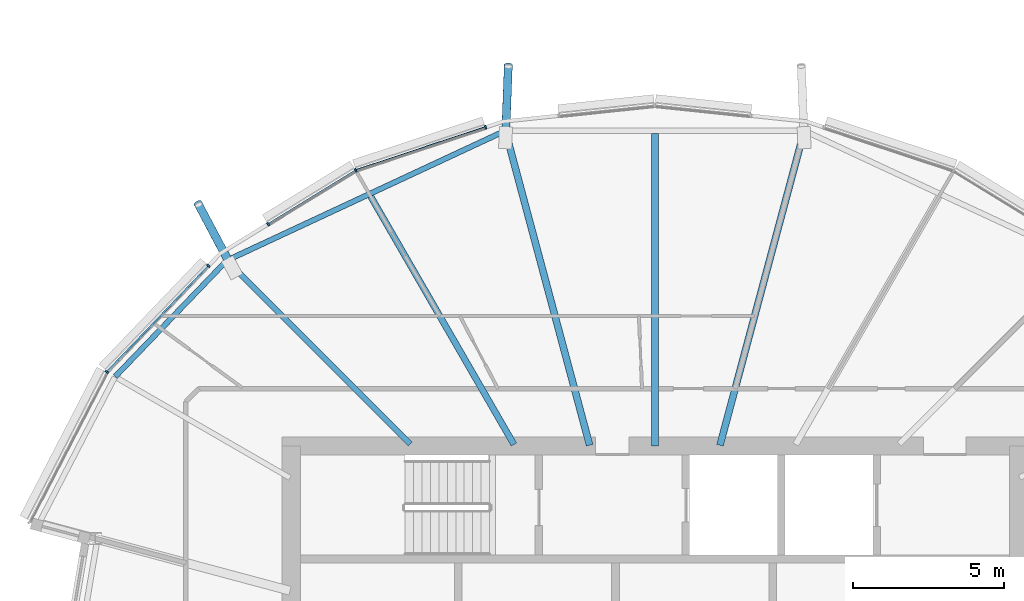
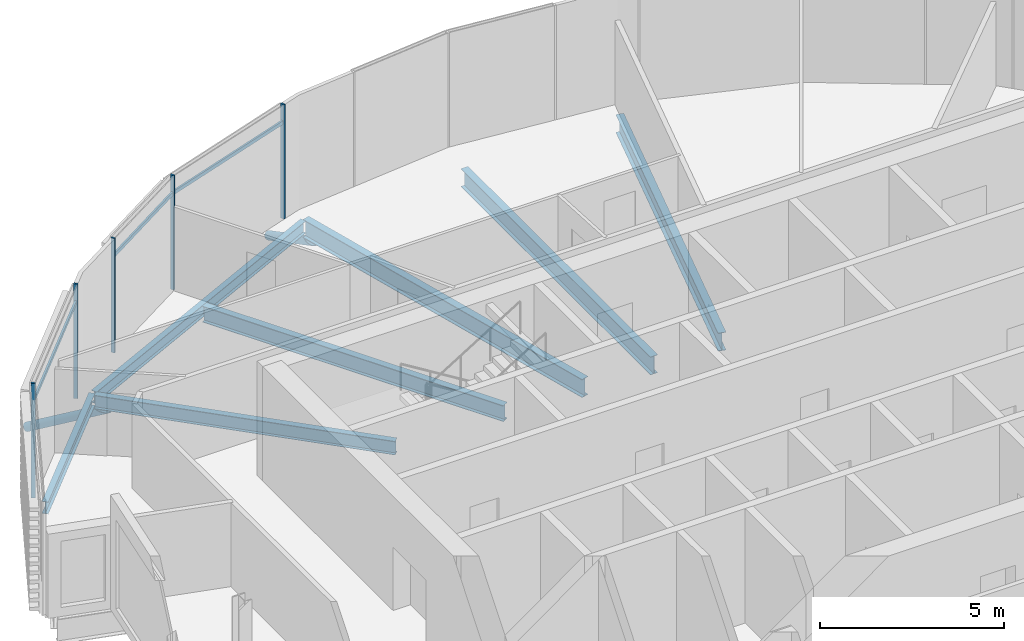
# One storey, part 9 of 35: 10 members, 7 beams, 1 element without a shape of its own.
"""IFC4 building model written with IfcOpenShell, lengths in metres."""

from ifc_helpers import new_model, si_unit, direction, frame, origin, origin_2d, place, context, subcontext, project, spatial, rectangle, hollow_circle, i_section, extrude, clip, halfspace, material, material_profile, profile_set, type_object, element, aggregate, save


model = new_model("IFC4")

# Units and contexts
model_context = context("Model", 3, precision=1e-05, world=origin(), true_north=direction((0.0, 1.0)))
body_context = subcontext(model_context, "Body", "Model", "MODEL_VIEW")
ifc_project = project(units=[si_unit("LENGTHUNIT", "METRE"), si_unit("AREAUNIT", "SQUARE_METRE"), si_unit("VOLUMEUNIT", "CUBIC_METRE"), si_unit("PLANEANGLEUNIT", "RADIAN"), si_unit("MASSUNIT", "GRAM", prefix="KILO")], contexts=[model_context])

# Site, building, storey
site_placement = place(None, origin())
site = spatial("IfcSite", under=ifc_project, at=site_placement, CompositionType="ELEMENT")
building_placement = place(site_placement, origin())
building = spatial("IfcBuilding", under=site, at=building_placement, Name="Rimbun Link Towers", CompositionType="ELEMENT")
storey_placement = place(building_placement, frame((0.0, 0.0, 196.89990234375)))
storey = spatial("IfcBuildingStorey", under=building, at=storey_placement, Name="L48", CompositionType="ELEMENT", Elevation=196.89990234375)

# Curtain wall, members
ifc_material_1 = material(Name="Aluminium 6063-T6 and low-iron glass", Category="aluminium")
curtain_wall_type = type_object("IfcCurtainWallType", Name="CW1-Z3 unitised vision wall (zone 3)", PredefinedType="NOTDEFINED", material=ifc_material_1)
curtain_wall_placement = place(storey_placement, origin())
curtain_wall = element("IfcCurtainWall", 1, at=curtain_wall_placement, inside=storey, type_object=curtain_wall_type, Name="CW1 L48 T1", PredefinedType="NOTDEFINED")
ifc_material_2 = material(Name="Aluminium 6063-T6", Category="aluminium")
ifc_material_profile_1 = material_profile(ifc_material_2, rectangle(XDim=0.1201171875, YDim=0.06005859375, at=origin_2d()), Name="MULLION 60X120")
ifc_profile_set_1 = profile_set([ifc_material_profile_1], Name="Aluminium 6063-T6")
member_type_1 = type_object("IfcMemberType", Name="CW1 mullion 60X120", PredefinedType="MULLION", material=ifc_profile_set_1)
member_1_placement = place(storey_placement, frame((-41.618896484375, 17.10400390625, 0.0), z_axis=(0.0, 0.0, 1.0), x_axis=(-0.421694621362, 0.906737914899, 0.0)))
member_1 = element("IfcMember", 2, at=member_1_placement, type_object=member_type_1, Name="CW1 mullion", PredefinedType="MULLION", context=body_context, shape_type="SweptSolid", body=[
    extrude(rectangle(XDim=0.1201171875, YDim=0.06005859375, at=origin_2d()), origin(), (0.0, 0.0, 1.0), 3.800048828125),
])
member_2_placement = place(storey_placement, frame((-37.337158203125, 18.5234375, 0.0), z_axis=(0.0, 0.0, 1.0), x_axis=(-0.314557993327, 0.949238257149, 0.0)))
member_2 = element("IfcMember", 3, at=member_2_placement, type_object=member_type_1, Name="CW1 mullion", PredefinedType="MULLION", context=body_context, shape_type="SweptSolid", body=[
    extrude(rectangle(XDim=0.1201171875, YDim=0.06005859375, at=origin_2d()), origin(), (0.0, 0.0, 1.0), 3.800048828125),
])
member_3_placement = place(storey_placement, frame((-44.51318359375, 15.327392578125, 0.0), z_axis=(0.0, 0.0, 1.0), x_axis=(-0.523229231966, 0.852191980023, 0.0)))
member_3 = element("IfcMember", 4, at=member_3_placement, type_object=member_type_1, Name="CW1 mullion", PredefinedType="MULLION", context=body_context, shape_type="SweptSolid", body=[
    extrude(rectangle(XDim=0.1201171875, YDim=0.06005859375, at=origin_2d()), origin(), (0.0, 0.0, 1.0), 3.800048828125),
])
member_4_placement = place(storey_placement, frame((-49.839111328125, 10.450439453125, 0.0), z_axis=(0.0, 0.0, 1.0), x_axis=(-0.813350615069, 0.581773819423, 0.0)))
member_4 = element("IfcMember", 5, at=member_4_placement, type_object=member_type_1, Name="CW1 mullion", PredefinedType="MULLION", context=body_context, shape_type="SweptSolid", body=[
    extrude(rectangle(XDim=0.1201171875, YDim=0.06005859375, at=origin_2d()), origin(), (0.0, 0.0, 1.0), 3.800048828125),
])
member_5_placement = place(storey_placement, frame((-46.482421875, 13.952880859375, 0.0), z_axis=(0.0, 0.0, 1.0), x_axis=(-0.721858505917, 0.692040676143, 0.0)))
member_5 = element("IfcMember", 6, at=member_5_placement, type_object=member_type_1, Name="CW1 mullion", PredefinedType="MULLION", context=body_context, shape_type="SweptSolid", body=[
    extrude(rectangle(XDim=0.1201171875, YDim=0.06005859375, at=origin_2d()), origin(), (0.0, 0.0, 1.0), 3.800048828125),
])
ifc_material_3 = material(Name="Aluminium 6063-T6", Category="aluminium")
ifc_material_profile_2 = material_profile(ifc_material_3, rectangle(XDim=0.06005859375, YDim=0.1201171875, at=origin_2d()), Name="TRANSOM 60X120")
ifc_profile_set_2 = profile_set([ifc_material_profile_2], Name="Aluminium 6063-T6")
member_type_2 = type_object("IfcMemberType", Name="CW1 transom 60X120", PredefinedType="USERDEFINED", material=ifc_profile_set_2)
member_6_placement = place(storey_placement, frame((-41.583251953125, 17.1142578125, 3.2001953125), z_axis=(0.949247657744, 0.314529623833, 0.0), x_axis=(-0.314529623833, 0.949247657744, 0.0)))
member_6 = element("IfcMember", 7, at=member_6_placement, type_object=member_type_2, Name="CW1 transom", ObjectType="TRANSOM", PredefinedType="USERDEFINED", context=body_context, shape_type="SweptSolid", body=[
    extrude(rectangle(XDim=0.06005859375, YDim=0.1201171875, at=origin_2d()), origin(), (0.0, 0.0, 1.0), 4.44384765625),
])
member_7_placement = place(storey_placement, frame((-44.486572265625, 15.341552734375, 3.2001953125), z_axis=(0.852194171963, 0.523225661901, 0.0), x_axis=(-0.523225661901, 0.852194171963, 0.0)))
member_7 = element("IfcMember", 8, at=member_7_placement, type_object=member_type_2, Name="CW1 transom", ObjectType="TRANSOM", PredefinedType="USERDEFINED", context=body_context, shape_type="SweptSolid", body=[
    extrude(rectangle(XDim=0.06005859375, YDim=0.1201171875, at=origin_2d()), origin(), (0.0, 0.0, 1.0), 3.329345703125),
])
member_8_placement = place(storey_placement, frame((-49.8115234375, 10.477294921875, 3.2001953125), z_axis=(0.692018439281, 0.721879823582, 0.0), x_axis=(-0.721879823582, 0.692018439281, 0.0)))
member_8 = element("IfcMember", 9, at=member_8_placement, type_object=member_type_2, Name="CW1 transom", ObjectType="TRANSOM", PredefinedType="USERDEFINED", context=body_context, shape_type="SweptSolid", body=[
    extrude(rectangle(XDim=0.06005859375, YDim=0.1201171875, at=origin_2d()), origin(), (0.0, 0.0, 1.0), 4.782958984375),
])
aggregate(curtain_wall, [member_1, member_2, member_3, member_4, member_5, member_6, member_7, member_8])

# Members
ifc_material_4 = material(Name="Steel S355J2H", Category="steel")
ifc_material_profile_3 = material_profile(ifc_material_4, hollow_circle(Radius=0.136474609375, WallThickness=0.012451171875, at=origin_2d()), Name="CHS 273x12.5")
ifc_profile_set_3 = profile_set([ifc_material_profile_3], Name="Steel S355J2H")
member_type_3 = type_object("IfcMemberType", Name="Floor edge link CHS 273x12.5", PredefinedType="BRACE", material=ifc_profile_set_3)
member_9_placement = place(storey_placement, frame((-36.670166015625, 18.3623046875, -0.871826171875), z_axis=(0.033818478174, 0.876864826951, -0.479546020513), x_axis=(-0.999257102902, 0.038538841434, 0.0)))
element("IfcMember", 10, at=member_9_placement, inside=storey, type_object=member_type_3, Name="Floor edge link T1 L48 07", PredefinedType="BRACE", context=body_context, shape_type="Clipping", body=[
    clip(extrude(hollow_circle(Radius=0.136474609375, WallThickness=0.012451171875, at=origin_2d()), frame((0.0, 0.0, -0.5205078125)), (0.0, 0.0, 1.0), 3.047119140625), halfspace(frame((0.0, 0.0, -0.24462890625), z_axis=(0.0, 0.877516731584, -0.479546020513)), False)),
])
member_10_placement = place(storey_placement, frame((-45.777587890625, 14.027587890625, -0.719482421875), z_axis=(-0.400296862558, 0.754964510493, -0.519414102352), x_axis=(-0.883492666358, -0.468444989824, 0.0)))
element("IfcMember", 11, at=member_10_placement, inside=storey, type_object=member_type_3, Name="Floor edge link T1 L48 09", PredefinedType="BRACE", context=body_context, shape_type="Clipping", body=[
    clip(extrude(hollow_circle(Radius=0.136474609375, WallThickness=0.012451171875, at=origin_2d()), frame((0.0, 0.0, -0.468505859375)), (0.0, 0.0, 1.0), 3.106201171875), halfspace(frame((0.0, 0.0, -0.2197265625), z_axis=(0.0, 0.854522668089, -0.519414102352)), False)),
])

# Beams
ifc_material_5 = material(Name="Steel S355J2", Category="steel")
ifc_material_profile_4 = material_profile(ifc_material_5, i_section(OverallWidth=0.177978515625, OverallDepth=0.406494140625, WebThickness=0.0078125, FlangeThickness=0.0126953125, at=origin_2d()), Name="UB 406x178x60")
ifc_profile_set_4 = profile_set([ifc_material_profile_4], Name="Steel S355J2")
beam_type_1 = type_object("IfcBeamType", Name="UB 406x178x60", PredefinedType="BEAM", material=ifc_profile_set_4)
beam_1_placement = place(storey_placement, frame((-36.788818359375, 18.361572265625, -0.35302734375), z_axis=(-0.906412403609, -0.42239383824, 0.0), x_axis=(0.42239383824, -0.906412403609, 0.0)))
element("IfcBeam", 12, at=beam_1_placement, inside=storey, type_object=beam_type_1, Name="Edge beam T1 L48 07-09", PredefinedType="BEAM", context=body_context, shape_type="SweptSolid", body=[
    extrude(i_section(OverallWidth=0.177978515625, OverallDepth=0.406494140625, WebThickness=0.0078125, FlangeThickness=0.0126953125, at=origin_2d()), origin(), (0.0, 0.0, 1.0), 9.924072265625),
])
beam_2_placement = place(storey_placement, frame((-45.877197265625, 14.1259765625, -0.35302734375), z_axis=(-0.692994797668, -0.72094258468, 0.0), x_axis=(0.72094258468, -0.692994797668, 0.0)))
element("IfcBeam", 13, at=beam_2_placement, inside=storey, type_object=beam_type_1, Name="Edge beam T1 L48 09", PredefinedType="BEAM", context=body_context, shape_type="SweptSolid", body=[
    extrude(i_section(OverallWidth=0.177978515625, OverallDepth=0.406494140625, WebThickness=0.0078125, FlangeThickness=0.0126953125, at=origin_2d()), origin(), (0.0, 0.0, 1.0), 5.311279296875),
])
ifc_material_6 = material(Name="Steel S355J2", Category="steel")
ifc_material_profile_5 = material_profile(ifc_material_6, i_section(OverallWidth=0.18994140625, OverallDepth=0.453369140625, WebThickness=0.008544921875, FlangeThickness=0.0126953125, at=origin_2d()), Name="UB 457x191x67")
ifc_profile_set_5 = profile_set([ifc_material_profile_5], Name="Steel S355J2")
beam_type_2 = type_object("IfcBeamType", Name="UB 457x191x67", PredefinedType="BEAM", material=ifc_profile_set_5)
beam_3_placement = place(storey_placement, frame((-39.81787109375, 8.06787109375, -0.376708984375), z_axis=(-0.707106781187, 0.707106781187, 0.0), x_axis=(-0.707106781187, -0.707106781187, 0.0)))
element("IfcBeam", 14, at=beam_3_placement, inside=storey, type_object=beam_type_2, Name="Radial beam T1 L48 09", PredefinedType="BEAM", context=body_context, shape_type="SweptSolid", body=[
    extrude(i_section(OverallWidth=0.18994140625, OverallDepth=0.453369140625, WebThickness=0.008544921875, FlangeThickness=0.0126953125, at=origin_2d()), origin(), (0.0, 0.0, 1.0), 8.478271484375),
])
ifc_material_7 = material(Name="Steel S355J2", Category="steel")
ifc_material_profile_6 = material_profile(ifc_material_7, i_section(OverallWidth=0.209228515625, OverallDepth=0.533203125, WebThickness=0.010009765625, FlangeThickness=0.015625, at=origin_2d()), Name="UB 533x210x92")
ifc_profile_set_6 = profile_set([ifc_material_profile_6], Name="Steel S355J2")
beam_type_3 = type_object("IfcBeamType", Name="UB 533x210x92", PredefinedType="BEAM", material=ifc_profile_set_6)
beam_4_placement = place(storey_placement, frame((-36.3994140625, 8.05322265625, -0.41650390625), z_axis=(-0.500007824733, 0.866020886126, 0.0), x_axis=(-0.866020886126, -0.500007824733, 0.0)))
element("IfcBeam", 15, at=beam_4_placement, inside=storey, type_object=beam_type_3, Name="Radial beam T1 L48 08", PredefinedType="BEAM", context=body_context, shape_type="SweptSolid", body=[
    extrude(i_section(OverallWidth=0.209228515625, OverallDepth=0.533203125, WebThickness=0.010009765625, FlangeThickness=0.015625, at=origin_2d()), origin(), (0.0, 0.0, 1.0), 9.454345703125),
])
ifc_material_8 = material(Name="Steel S355J2", Category="steel")
ifc_material_profile_7 = material_profile(ifc_material_8, i_section(OverallWidth=0.2275390625, OverallDepth=0.6025390625, WebThickness=0.010498046875, FlangeThickness=0.014892578125, at=origin_2d()), Name="UB 610x229x101")
ifc_profile_set_7 = profile_set([ifc_material_profile_7], Name="Steel S355J2")
beam_type_4 = type_object("IfcBeamType", Name="UB 610x229x101", PredefinedType="BEAM", material=ifc_profile_set_7)
beam_5_placement = place(storey_placement, frame((-29.598388671875, 8.030517578125, -0.451171875), z_axis=(0.258831851785, 0.965922394658, 0.0), x_axis=(-0.965922394658, 0.258831851785, 0.0)))
element("IfcBeam", 16, at=beam_5_placement, inside=storey, type_object=beam_type_4, Name="Radial beam T1 L48 05", PredefinedType="BEAM", context=body_context, shape_type="SweptSolid", body=[
    extrude(i_section(OverallWidth=0.2275390625, OverallDepth=0.6025390625, WebThickness=0.010498046875, FlangeThickness=0.014892578125, at=origin_2d()), origin(), (0.0, 0.0, 1.0), 10.746337890625),
])
beam_6_placement = place(storey_placement, frame((-31.75, 8.0009765625, -0.451171875), z_axis=(0.0, 1.0, 0.0), x_axis=(-1.0, 0.0, 0.0)))
element("IfcBeam", 17, at=beam_6_placement, inside=storey, type_object=beam_type_4, Name="Radial beam T1 L48 06", PredefinedType="BEAM", context=body_context, shape_type="SweptSolid", body=[
    extrude(i_section(OverallWidth=0.2275390625, OverallDepth=0.6025390625, WebThickness=0.010498046875, FlangeThickness=0.014892578125, at=origin_2d()), origin(), (0.0, 0.0, 1.0), 10.31982421875),
])
beam_7_placement = place(storey_placement, frame((-33.901611328125, 8.030517578125, -0.451171875), z_axis=(-0.258831851785, 0.965922394658, 0.0), x_axis=(-0.965922394658, -0.258831851785, 0.0)))
element("IfcBeam", 18, at=beam_7_placement, inside=storey, type_object=beam_type_4, Name="Radial beam T1 L48 07", PredefinedType="BEAM", context=body_context, shape_type="SweptSolid", body=[
    extrude(i_section(OverallWidth=0.2275390625, OverallDepth=0.6025390625, WebThickness=0.010498046875, FlangeThickness=0.014892578125, at=origin_2d()), origin(), (0.0, 0.0, 1.0), 10.746337890625),
])

save(model, "model.ifc")
